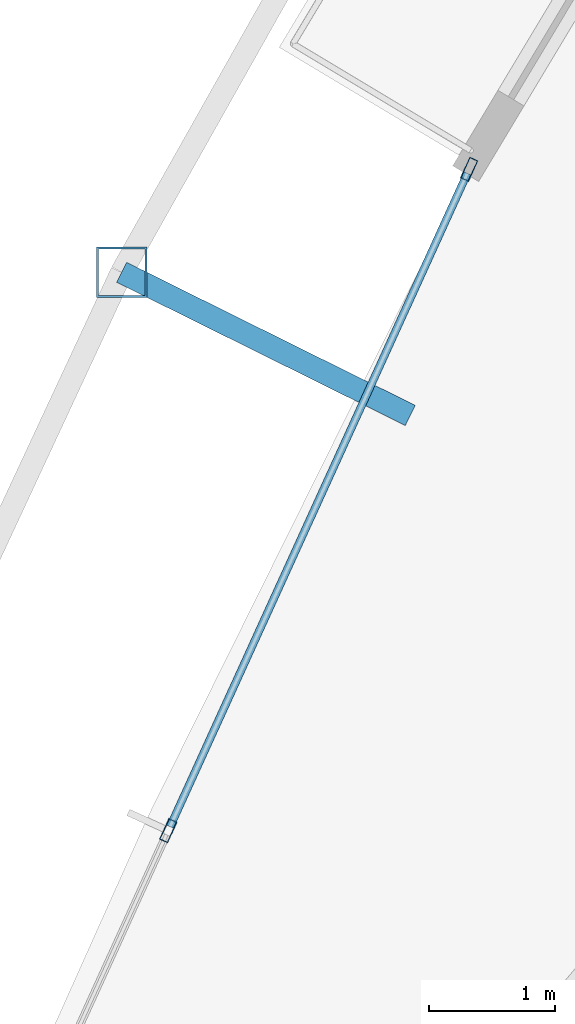
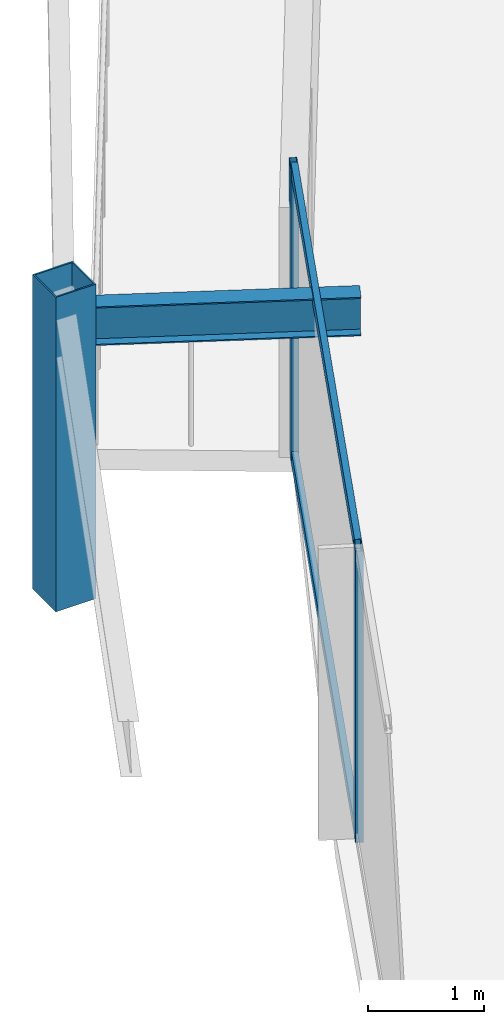
# One storey, part 10 of 33: 5 members, 1 beam, 1 element without a shape of its own.
"""IFC4 building model written with IfcOpenShell, lengths in metres."""

from ifc_helpers import new_model, si_unit, direction, frame, origin, origin_2d, place, context, subcontext, project, spatial, hollow_rectangle, i_section, extrude, material, layer, layer_set, material_profile, profile_set, type_object, element, aggregate, save


model = new_model("IFC4")

# Units and contexts
model_context = context("Model", 3, precision=1e-05, world=origin(), true_north=direction((0.0, 1.0)))
body_context = subcontext(model_context, "Body", "Model", "MODEL_VIEW")
ifc_project = project(units=[si_unit("LENGTHUNIT", "METRE"), si_unit("AREAUNIT", "SQUARE_METRE"), si_unit("VOLUMEUNIT", "CUBIC_METRE"), si_unit("PLANEANGLEUNIT", "RADIAN"), si_unit("MASSUNIT", "GRAM", prefix="KILO")], contexts=[model_context])

# Site, building, storey
site_placement = place(None, origin())
site = spatial("IfcSite", under=ifc_project, at=site_placement, CompositionType="ELEMENT")
building_placement = place(site_placement, origin())
building = spatial("IfcBuilding", under=site, at=building_placement, Name="Orvanel Arch Residences", CompositionType="ELEMENT")
storey_placement = place(building_placement, frame((0.0, 0.0, 119.89990234375)))
storey = spatial("IfcBuildingStorey", under=building, at=storey_placement, Name="L33", CompositionType="ELEMENT", Elevation=119.89990234375)

# Curtain wall, members
ifc_material_1 = material(Name="Bronze-anodised aluminium AA6063-T6", Category="aluminium")
ifc_layer = layer(ifc_material_1, 0.179931640625)
ifc_layer_set = layer_set([ifc_layer], Name="Bronze-anodised aluminium AA6063-T6")
curtain_wall_type = type_object("IfcCurtainWallType", Name="CW3-MID-SYS", PredefinedType="NOTDEFINED", material=ifc_layer_set)
curtain_wall_placement = place(storey_placement, origin())
curtain_wall = element("IfcCurtainWall", 1, at=curtain_wall_placement, inside=storey, type_object=curtain_wall_type, Name="L33 CW3-MID-SYS Unitised Curtain Wall", PredefinedType="NOTDEFINED")
ifc_material_profile_1 = material_profile(ifc_material_1, hollow_rectangle(XDim=0.070068359375, YDim=0.179931640625, WallThickness=0.00439453125, at=origin_2d()), Name="ALU180x70x4.5")
ifc_profile_set_1 = profile_set([ifc_material_profile_1], Name="Bronze-anodised aluminium AA6063-T6")
member_type_1 = type_object("IfcMemberType", Name="MUL-180x70", PredefinedType="MULLION", material=ifc_profile_set_1)
member_1_placement = place(storey_placement, frame((14.200439453125, 24.572021484375, 0.0), z_axis=(0.0, 0.0, 1.0), x_axis=(0.9102243469, -0.414115489097, 0.0)))
member_1 = element("IfcMember", 2, at=member_1_placement, type_object=member_type_1, Name="CW-S3 mullion 1", PredefinedType="MULLION", context=body_context, shape_type="SweptSolid", body=[
    extrude(hollow_rectangle(XDim=0.070068359375, YDim=0.179931640625, WallThickness=0.00439453125, at=origin_2d()), origin(), (0.0, 0.0, 1.0), 3.06005859375),
])
member_2_placement = place(storey_placement, frame((11.8193359375, 19.33837890625, 0.0), z_axis=(0.0, 0.0, 1.0), x_axis=(0.9102243469, -0.414115489097, 0.0)))
member_2 = element("IfcMember", 3, at=member_2_placement, type_object=member_type_1, Name="CW-S3 mullion 2", PredefinedType="MULLION", context=body_context, shape_type="SweptSolid", body=[
    extrude(hollow_rectangle(XDim=0.070068359375, YDim=0.179931640625, WallThickness=0.00439453125, at=origin_2d()), origin(), (0.0, 0.0, 1.0), 3.06005859375),
])

# Beam
ifc_material_2 = material(Name="Structural steel AS/NZS 3679.1 Grade 300 (300 MPa)", Category="steel")
ifc_material_profile_2 = material_profile(ifc_material_2, i_section(OverallWidth=0.177978515625, OverallDepth=0.406005859375, WebThickness=0.0078125, FlangeThickness=0.0126953125, at=origin_2d()), Name="410UB59.7")
ifc_profile_set_2 = profile_set([ifc_material_profile_2], Name="Structural steel AS/NZS 3679.1 Grade 300 (300 MPa)")
beam_type = type_object("IfcBeamType", Name="OB-410UB-EXT", PredefinedType="SPANDREL", material=ifc_profile_set_2)
beam_placement = place(storey_placement, frame((13.735107421875, 22.6240234375, 2.857177734375), z_axis=(-0.895915397726, 0.444224718039, 0.0), x_axis=(-0.444224718039, -0.895915397726, 0.0)))
element("IfcBeam", 4, at=beam_placement, inside=storey, type_object=beam_type, Name="L33 Outer Frame Radial Tie Beam 03", PredefinedType="SPANDREL", context=body_context, shape_type="SweptSolid", body=[
    extrude(i_section(OverallWidth=0.177978515625, OverallDepth=0.406005859375, WebThickness=0.0078125, FlangeThickness=0.0126953125, at=origin_2d()), origin(), (0.0, 0.0, 1.0), 2.550537109375),
])

# Member
ifc_material_3 = material(Name="Structural steel AS/NZS 1163 C450L0 (Grade 450)", Category="steel")
ifc_material_profile_3 = material_profile(ifc_material_3, hollow_rectangle(XDim=0.39990234375, YDim=0.39990234375, WallThickness=0.01611328125, at=origin_2d()), Name="SHS400x400x16")
ifc_profile_set_3 = profile_set([ifc_material_profile_3], Name="Structural steel AS/NZS 1163 C450L0 (Grade 450)")
member_type_2 = type_object("IfcMemberType", Name="ST-400SHS-EXT", PredefinedType="STRUT", material=ifc_profile_set_3)
member_3_placement = place(storey_placement, frame((11.449951171875, 23.757080078125, 0.0), z_axis=(0.0, 0.0, 1.0), x_axis=(1.0, 0.0, 0.0)))
element("IfcMember", 5, at=member_3_placement, inside=storey, type_object=member_type_2, Name="L33 Outer Perimeter Frame Post 03", PredefinedType="STRUT", context=body_context, shape_type="SweptSolid", body=[
    extrude(hollow_rectangle(XDim=0.39990234375, YDim=0.39990234375, WallThickness=0.01611328125, at=origin_2d()), origin(), (0.0, 0.0, 1.0), 3.300048828125),
])

ifc_material_profile_4 = material_profile(ifc_material_1, hollow_rectangle(XDim=0.06005859375, YDim=0.135009765625, WallThickness=0.00390625, at=origin_2d()), Name="ALU135x60x4")
ifc_profile_set_4 = profile_set([ifc_material_profile_4], Name="Bronze-anodised aluminium AA6063-T6")
member_type_3 = type_object("IfcMemberType", Name="TRN-135x60", PredefinedType="USERDEFINED", material=ifc_profile_set_4)
member_4_placement = place(storey_placement, frame((14.18603515625, 24.540283203125, 0.030029296875), z_axis=(-0.414126751339, -0.910219222949, 0.0), x_axis=(0.910219222949, -0.414126751339, 0.0)))
member_4 = element("IfcMember", 6, at=member_4_placement, type_object=member_type_3, Name="CW-S3 transom 1.1", ObjectType="TRANSOM", PredefinedType="USERDEFINED", context=body_context, shape_type="SweptSolid", body=[
    extrude(hollow_rectangle(XDim=0.06005859375, YDim=0.135009765625, WallThickness=0.00390625, at=origin_2d()), origin(), (0.0, 0.0, 1.0), 5.68017578125),
])

member_5_placement = place(storey_placement, frame((14.18603515625, 24.540283203125, 3.030029296875), z_axis=(-0.414126751339, -0.910219222949, 0.0), x_axis=(0.910219222949, -0.414126751339, 0.0)))
member_5 = element("IfcMember", 7, at=member_5_placement, type_object=member_type_3, Name="CW-S3 transom 1.2", ObjectType="TRANSOM", PredefinedType="USERDEFINED", context=body_context, shape_type="SweptSolid", body=[
    extrude(hollow_rectangle(XDim=0.06005859375, YDim=0.135009765625, WallThickness=0.00390625, at=origin_2d()), origin(), (0.0, 0.0, 1.0), 5.68017578125),
])

aggregate(curtain_wall, [member_1, member_2, member_4, member_5])

save(model, "model.ifc")
